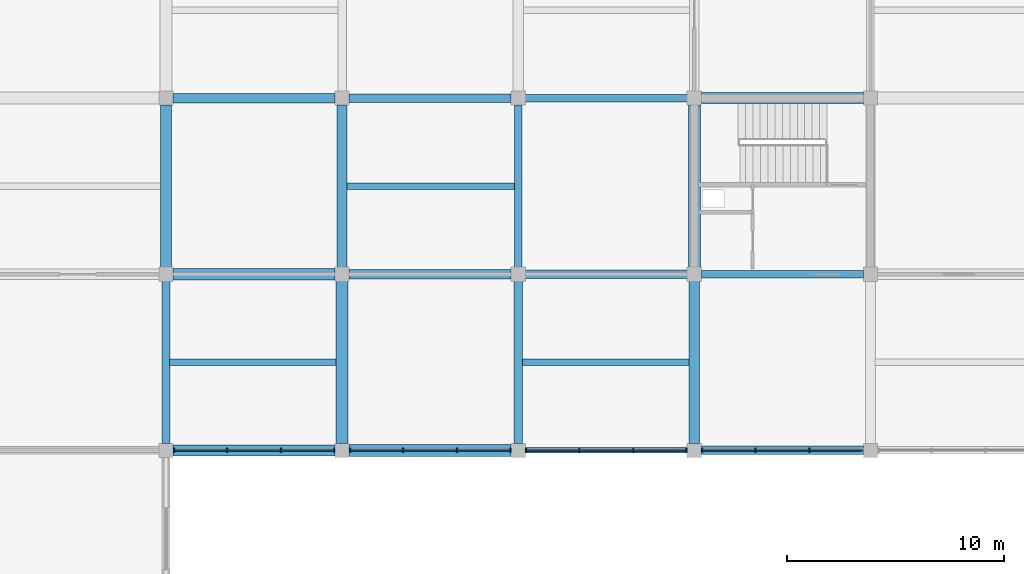
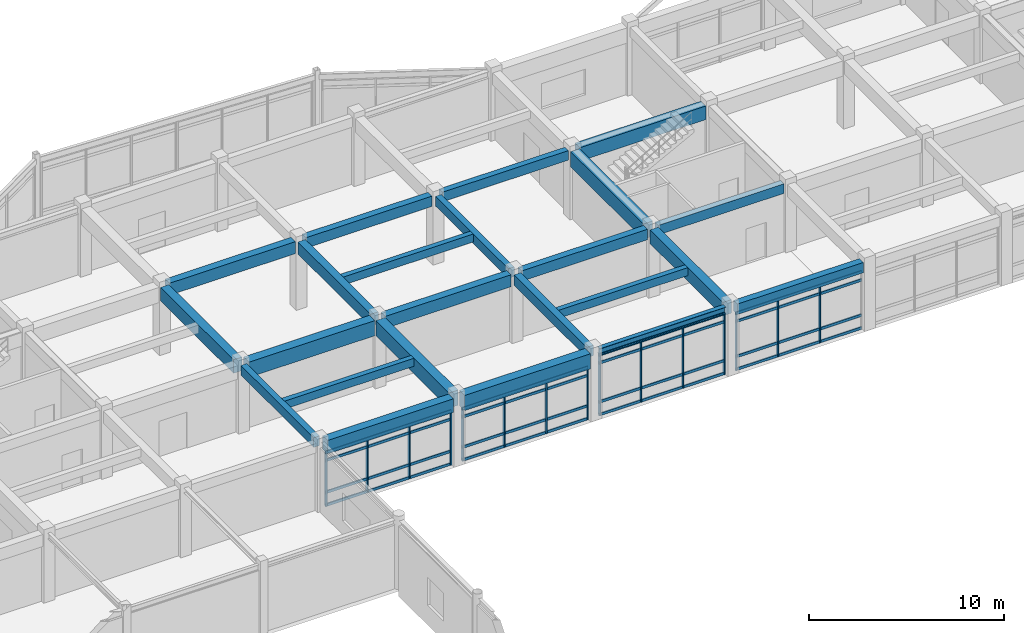
# One storey, part 29 of 93: 31 members, 23 beams, 4 elements without a shape of their own.
"""IFC4 building model written with IfcOpenShell, lengths in metres."""

from ifc_helpers import new_model, si_unit, direction, frame, origin, origin_2d, place, context, subcontext, project, spatial, rectangle, i_section, extrude, material, layer, layer_set, material_profile, profile_set, type_object, element, aggregate, save


model = new_model("IFC4")

# Units and contexts
model_context = context("Model", 3, precision=1e-05, world=origin(), true_north=direction((0.0, 1.0)))
body_context = subcontext(model_context, "Body", "Model", "MODEL_VIEW")
ifc_project = project(units=[si_unit("LENGTHUNIT", "METRE"), si_unit("AREAUNIT", "SQUARE_METRE"), si_unit("VOLUMEUNIT", "CUBIC_METRE"), si_unit("PLANEANGLEUNIT", "RADIAN"), si_unit("MASSUNIT", "GRAM", prefix="KILO")], contexts=[model_context])

# Site, building, storey
site_placement = place(None, origin())
site = spatial("IfcSite", under=ifc_project, at=site_placement, CompositionType="ELEMENT")
building_placement = place(site_placement, origin())
building = spatial("IfcBuilding", under=site, at=building_placement, Name="Vaudrelin Polytechnic", CompositionType="ELEMENT")
storey_placement = place(building_placement, frame((0.0, 0.0, 5.10009765625)))
storey = spatial("IfcBuildingStorey", under=building, at=storey_placement, Name="L01", CompositionType="ELEMENT", Elevation=5.10009765625)

# Beams
ifc_material_1 = material(Name="Concrete 40 MPa", Category="concrete")
ifc_material_profile_1 = material_profile(ifc_material_1, rectangle(XDim=0.35009765625, YDim=0.60009765625, at=origin_2d()), Name="RC350x600")
ifc_profile_set_1 = profile_set([ifc_material_profile_1], Name="Concrete 40 MPa")
beam_type_1 = type_object("IfcBeamType", Name="BM-BM-RC3560", PredefinedType="BEAM", material=ifc_profile_set_1)
for number, where, z_axis, x_axis, name in (
    (1, (32.39990234375, 97.510009765625, 3.949951171875), (0.0, 1.0, 0.0), (-1.0, 0.0, 0.0), "L01 Y-beam 5-13"),
    (2, (48.60009765625, 105.610107421875, 3.949951171875), (0.0, 1.0, 0.0), (-1.0, 0.0, 0.0), "L01 Y-beam 7-14"),
):
    element("IfcBeam", number, at=place(storey_placement, frame(where, z_axis=z_axis, x_axis=x_axis)), inside=storey, type_object=beam_type_1, Name=name, PredefinedType="BEAM", context=body_context, shape_type="SweptSolid", body=[
        extrude(rectangle(XDim=0.35009765625, YDim=0.60009765625, at=origin_2d()), origin(), (0.0, 0.0, 1.0), 7.47998046875),
    ])
for number, where, z_axis, x_axis, name in (
    (3, (48.9208984375, 113.39990234375, 3.949951171875), (1.0, 0.0, 0.0), (0.0, 1.0, 0.0), "L01 X-beam 7-15"),
    (4, (57.02099609375, 105.300048828125, 3.949951171875), (1.0, 0.0, 0.0), (0.0, 1.0, 0.0), "L01 X-beam 8-14"),
):
    element("IfcBeam", number, at=place(storey_placement, frame(where, z_axis=z_axis, x_axis=x_axis)), inside=storey, type_object=beam_type_1, Name=name, PredefinedType="BEAM", context=body_context, shape_type="SweptSolid", body=[
        extrude(rectangle(XDim=0.35009765625, YDim=0.60009765625, at=origin_2d()), origin(), (0.0, 0.0, 1.0), 7.4580078125),
    ])
ifc_material_profile_2 = material_profile(ifc_material_1, rectangle(XDim=0.39990234375, YDim=0.64990234375, at=origin_2d()), Name="RC400x650")
ifc_profile_set_2 = profile_set([ifc_material_profile_2], Name="Concrete 40 MPa")
beam_type_2 = type_object("IfcBeamType", Name="BM-BM-RC4065", PredefinedType="BEAM", material=ifc_profile_set_2)
beam_1_placement = place(storey_placement, frame((48.60009765625, 97.510009765625, 3.9248046875), z_axis=(0.0, 1.0, 0.0), x_axis=(-1.0, 0.0, 0.0)))
element("IfcBeam", 5, at=beam_1_placement, inside=storey, type_object=beam_type_2, Name="L01 Y-beam 7-13", PredefinedType="BEAM", context=body_context, shape_type="SweptSolid", body=[
    extrude(rectangle(XDim=0.39990234375, YDim=0.64990234375, at=origin_2d()), origin(), (0.0, 0.0, 1.0), 7.47998046875),
])
for number, where, z_axis, x_axis, name in (
    (6, (40.821044921875, 113.39990234375, 3.9248046875), (1.0, 0.0, 0.0), (0.0, 1.0, 0.0), "L01 X-beam 6-15"),
    (7, (48.9208984375, 105.300048828125, 3.9248046875), (1.0, 0.0, 0.0), (0.0, 1.0, 0.0), "L01 X-beam 7-14"),
    (8, (57.02099609375, 97.199951171875, 3.9248046875), (1.0, 0.0, 0.0), (0.0, 1.0, 0.0), "L01 X-beam 8-13"),
):
    element("IfcBeam", number, at=place(storey_placement, frame(where, z_axis=z_axis, x_axis=x_axis)), inside=storey, type_object=beam_type_2, Name=name, PredefinedType="BEAM", context=body_context, shape_type="SweptSolid", body=[
        extrude(rectangle(XDim=0.39990234375, YDim=0.64990234375, at=origin_2d()), origin(), (0.0, 0.0, 1.0), 7.4580078125),
    ])
ifc_material_profile_3 = material_profile(ifc_material_1, rectangle(XDim=0.449951171875, YDim=0.75, at=origin_2d()), Name="RC450x750")
ifc_profile_set_3 = profile_set([ifc_material_profile_3], Name="Concrete 40 MPa")
beam_type_3 = type_object("IfcBeamType", Name="BM-BM-RC4575", PredefinedType="BEAM", material=ifc_profile_set_3)
beam_2_placement = place(storey_placement, frame((40.5, 105.610107421875, 3.875), z_axis=(0.0, 1.0, 0.0), x_axis=(-1.0, 0.0, 0.0)))
element("IfcBeam", 9, at=beam_2_placement, inside=storey, type_object=beam_type_3, Name="L01 Y-beam 6-14", PredefinedType="BEAM", context=body_context, shape_type="SweptSolid", body=[
    extrude(rectangle(XDim=0.449951171875, YDim=0.75, at=origin_2d()), origin(), (0.0, 0.0, 1.0), 7.47998046875),
])
for number, where, z_axis, x_axis, name in (
    (10, (32.720947265625, 113.39990234375, 3.875), (1.0, 0.0, 0.0), (0.0, 1.0, 0.0), "L01 X-beam 5-15"),
    (11, (40.821044921875, 105.300048828125, 3.875), (1.0, 0.0, 0.0), (0.0, 1.0, 0.0), "L01 X-beam 6-14"),
):
    element("IfcBeam", number, at=place(storey_placement, frame(where, z_axis=z_axis, x_axis=x_axis)), inside=storey, type_object=beam_type_3, Name=name, PredefinedType="BEAM", context=body_context, shape_type="SweptSolid", body=[
        extrude(rectangle(XDim=0.449951171875, YDim=0.75, at=origin_2d()), origin(), (0.0, 0.0, 1.0), 7.4580078125),
    ])
ifc_material_profile_4 = material_profile(ifc_material_1, rectangle(XDim=0.5, YDim=0.85009765625, at=origin_2d()), Name="RC500x850")
ifc_profile_set_4 = profile_set([ifc_material_profile_4], Name="Concrete 40 MPa")
beam_type_4 = type_object("IfcBeamType", Name="BM-BM-RC5085", PredefinedType="BEAM", material=ifc_profile_set_4)
for number, where, z_axis, x_axis, name in (
    (12, (32.39990234375, 105.610107421875, 3.824951171875), (0.0, 1.0, 0.0), (-1.0, 0.0, 0.0), "L01 Y-beam 5-14"),
    (13, (56.699951171875, 97.510009765625, 3.824951171875), (0.0, 1.0, 0.0), (-1.0, 0.0, 0.0), "L01 Y-beam 8-13"),
):
    element("IfcBeam", number, at=place(storey_placement, frame(where, z_axis=z_axis, x_axis=x_axis)), inside=storey, type_object=beam_type_4, Name=name, PredefinedType="BEAM", context=body_context, shape_type="SweptSolid", body=[
        extrude(rectangle(XDim=0.5, YDim=0.85009765625, at=origin_2d()), origin(), (0.0, 0.0, 1.0), 7.47998046875),
    ])
for number, where, z_axis, x_axis, name in (
    (14, (32.720947265625, 97.199951171875, 3.824951171875), (1.0, 0.0, 0.0), (0.0, 1.0, 0.0), "L01 X-beam 5-13"),
    (15, (57.02099609375, 113.39990234375, 3.824951171875), (1.0, 0.0, 0.0), (0.0, 1.0, 0.0), "L01 X-beam 8-15"),
):
    element("IfcBeam", number, at=place(storey_placement, frame(where, z_axis=z_axis, x_axis=x_axis)), inside=storey, type_object=beam_type_4, Name=name, PredefinedType="BEAM", context=body_context, shape_type="SweptSolid", body=[
        extrude(rectangle(XDim=0.5, YDim=0.85009765625, at=origin_2d()), origin(), (0.0, 0.0, 1.0), 7.4580078125),
    ])
ifc_material_2 = material(Name="Concrete 50 MPa", Category="concrete")
ifc_material_profile_5 = material_profile(ifc_material_2, rectangle(XDim=0.550048828125, YDim=0.949951171875, at=origin_2d()), Name="RC550x950")
ifc_profile_set_5 = profile_set([ifc_material_profile_5], Name="Concrete 50 MPa")
beam_type_5 = type_object("IfcBeamType", Name="BM-BM-RC5595", PredefinedType="BEAM", material=ifc_profile_set_5)
for number, where, z_axis, x_axis, name in (
    (16, (40.5, 97.510009765625, 3.77490234375), (0.0, 1.0, 0.0), (-1.0, 0.0, 0.0), "L01 Y-beam 6-13"),
    (17, (56.699951171875, 105.610107421875, 3.77490234375), (0.0, 1.0, 0.0), (-1.0, 0.0, 0.0), "L01 Y-beam 8-14"),
):
    element("IfcBeam", number, at=place(storey_placement, frame(where, z_axis=z_axis, x_axis=x_axis)), inside=storey, type_object=beam_type_5, Name=name, PredefinedType="BEAM", context=body_context, shape_type="SweptSolid", body=[
        extrude(rectangle(XDim=0.550048828125, YDim=0.949951171875, at=origin_2d()), origin(), (0.0, 0.0, 1.0), 7.47998046875),
    ])
for number, where, z_axis, x_axis, name in (
    (18, (32.720947265625, 105.300048828125, 3.77490234375), (1.0, 0.0, 0.0), (0.0, 1.0, 0.0), "L01 X-beam 5-14"),
    (19, (40.821044921875, 97.199951171875, 3.77490234375), (1.0, 0.0, 0.0), (0.0, 1.0, 0.0), "L01 X-beam 6-13"),
):
    element("IfcBeam", number, at=place(storey_placement, frame(where, z_axis=z_axis, x_axis=x_axis)), inside=storey, type_object=beam_type_5, Name=name, PredefinedType="BEAM", context=body_context, shape_type="SweptSolid", body=[
        extrude(rectangle(XDim=0.550048828125, YDim=0.949951171875, at=origin_2d()), origin(), (0.0, 0.0, 1.0), 7.4580078125),
    ])
ifc_material_3 = material(Name="Steel CSA G40.21 350WT", Category="steel")
ifc_material_profile_6 = material_profile(ifc_material_3, i_section(OverallWidth=0.260009765625, OverallDepth=0.4150390625, WebThickness=0.010009765625, FlangeThickness=0.016845703125, FilletRadius=0.01611328125, at=origin_2d()), Name="W410x100")
ifc_profile_set_6 = profile_set([ifc_material_profile_6], Name="Steel CSA G40.21 350WT")
beam_type_6 = type_object("IfcBeamType", Name="BM-BM-W410H", PredefinedType="SPANDREL", material=ifc_profile_set_6)
beam_3_placement = place(storey_placement, frame((48.9208984375, 97.199951171875, 4.04248046875), z_axis=(1.0, 0.0, 0.0), x_axis=(0.0, 1.0, 0.0)))
element("IfcBeam", 20, at=beam_3_placement, inside=storey, type_object=beam_type_6, Name="L01 X-beam 7-13", PredefinedType="SPANDREL", context=body_context, shape_type="SweptSolid", body=[
    extrude(i_section(OverallWidth=0.260009765625, OverallDepth=0.4150390625, WebThickness=0.010009765625, FlangeThickness=0.016845703125, FilletRadius=0.01611328125, at=origin_2d()), origin(), (0.0, 0.0, 1.0), 7.4580078125),
])
ifc_material_profile_7 = material_profile(ifc_material_1, rectangle(XDim=0.300048828125, YDim=0.5, at=origin_2d()), Name="RC300x500")
ifc_profile_set_7 = profile_set([ifc_material_profile_7], Name="Concrete 40 MPa")
beam_type_7 = type_object("IfcBeamType", Name="BM-JS-RC3050", PredefinedType="JOIST", material=ifc_profile_set_7)
beam_4_placement = place(storey_placement, frame((32.571044921875, 101.25, 4.0), z_axis=(1.0, 0.0, 0.0), x_axis=(0.0, 1.0, 0.0)))
element("IfcBeam", 21, at=beam_4_placement, inside=storey, type_object=beam_type_7, Name="L01 floor joist 5-13", PredefinedType="JOIST", context=body_context, shape_type="SweptSolid", body=[
    extrude(rectangle(XDim=0.300048828125, YDim=0.5, at=origin_2d()), origin(), (0.0, 0.0, 1.0), 7.657958984375),
])
beam_5_placement = place(storey_placement, frame((40.720947265625, 109.35009765625, 4.0), z_axis=(1.0, 0.0, 0.0), x_axis=(0.0, 1.0, 0.0)))
element("IfcBeam", 22, at=beam_5_placement, inside=storey, type_object=beam_type_7, Name="L01 floor joist 6-14", PredefinedType="JOIST", context=body_context, shape_type="SweptSolid", body=[
    extrude(rectangle(XDim=0.300048828125, YDim=0.5, at=origin_2d()), origin(), (0.0, 0.0, 1.0), 7.7080078125),
])
beam_6_placement = place(storey_placement, frame((48.7958984375, 101.25, 4.0), z_axis=(1.0, 0.0, 0.0), x_axis=(0.0, 1.0, 0.0)))
element("IfcBeam", 23, at=beam_6_placement, inside=storey, type_object=beam_type_7, Name="L01 floor joist 7-13", PredefinedType="JOIST", context=body_context, shape_type="SweptSolid", body=[
    extrude(rectangle(XDim=0.300048828125, YDim=0.5, at=origin_2d()), origin(), (0.0, 0.0, 1.0), 7.658203125),
])

# Curtain wall, members
ifc_material_4 = material(Name="Thermally broken anodised aluminium AA 6063-T6 and low-e triple glazing", Category="aluminium")
ifc_layer = layer(ifc_material_4, 0.199951171875)
ifc_layer_set = layer_set([ifc_layer], Name="Thermally broken anodised aluminium AA 6063-T6 and low-e triple glazing")
curtain_wall_type = type_object("IfcCurtainWallType", Name="CW-CW-LIB", PredefinedType="USERDEFINED", material=ifc_layer_set)
curtain_wall_1_placement = place(storey_placement, origin())
curtain_wall_1 = element("IfcCurtainWall", 24, at=curtain_wall_1_placement, inside=storey, type_object=curtain_wall_type, Name="Curtain wall L01 CT_N_00", ObjectType="CURTAIN WALL", PredefinedType="USERDEFINED")
ifc_material_5 = material(Name="Anodised aluminium AA 6063-T6", Category="aluminium")
ifc_material_profile_8 = material_profile(ifc_material_5, rectangle(XDim=0.06494140625, YDim=0.179931640625, at=origin_2d()), Name="CWM-65x180")
ifc_profile_set_8 = profile_set([ifc_material_profile_8], Name="Anodised aluminium AA 6063-T6")
member_type_1 = type_object("IfcMemberType", Name="MEM-CWM-180", PredefinedType="MULLION", material=ifc_profile_set_8)
member_1_placement = place(storey_placement, frame((32.762939453125, 97.199951171875, 0.0), z_axis=(0.0, 0.0, 1.0), x_axis=(1.0, 0.0, 0.0)))
member_1 = element("IfcMember", 25, at=member_1_placement, type_object=member_type_1, Name="CT_N_00 mullion 1", PredefinedType="MULLION", context=body_context, shape_type="SweptSolid", body=[
    extrude(rectangle(XDim=0.06494140625, YDim=0.179931640625, at=origin_2d()), origin(), (0.0, 0.0, 1.0), 3.40185546875),
])
member_2_placement = place(storey_placement, frame((35.207763671875, 97.199951171875, 0.0), z_axis=(0.0, 0.0, 1.0), x_axis=(1.0, 0.0, 0.0)))
member_2 = element("IfcMember", 26, at=member_2_placement, type_object=member_type_1, Name="CT_N_00 mullion 2", PredefinedType="MULLION", context=body_context, shape_type="SweptSolid", body=[
    extrude(rectangle(XDim=0.06494140625, YDim=0.179931640625, at=origin_2d()), origin(), (0.0, 0.0, 1.0), 3.40185546875),
])
member_3_placement = place(storey_placement, frame((37.6923828125, 97.199951171875, 0.0), z_axis=(0.0, 0.0, 1.0), x_axis=(1.0, 0.0, 0.0)))
member_3 = element("IfcMember", 27, at=member_3_placement, type_object=member_type_1, Name="CT_N_00 mullion 3", PredefinedType="MULLION", context=body_context, shape_type="SweptSolid", body=[
    extrude(rectangle(XDim=0.06494140625, YDim=0.179931640625, at=origin_2d()), origin(), (0.0, 0.0, 1.0), 3.40185546875),
])
member_4_placement = place(storey_placement, frame((40.136962890625, 97.199951171875, 0.0), z_axis=(0.0, 0.0, 1.0), x_axis=(1.0, 0.0, 0.0)))
member_4 = element("IfcMember", 28, at=member_4_placement, type_object=member_type_1, Name="CT_N_00 mullion 4", PredefinedType="MULLION", context=body_context, shape_type="SweptSolid", body=[
    extrude(rectangle(XDim=0.06494140625, YDim=0.179931640625, at=origin_2d()), origin(), (0.0, 0.0, 1.0), 3.40185546875),
])

curtain_wall_2_placement = place(storey_placement, origin())
curtain_wall_2 = element("IfcCurtainWall", 29, at=curtain_wall_2_placement, inside=storey, type_object=curtain_wall_type, Name="Curtain wall L01 CT_N_01", ObjectType="CURTAIN WALL", PredefinedType="USERDEFINED")
member_5_placement = place(storey_placement, frame((40.863037109375, 97.199951171875, 0.0), z_axis=(0.0, 0.0, 1.0), x_axis=(1.0, 0.0, 0.0)))
member_5 = element("IfcMember", 30, at=member_5_placement, type_object=member_type_1, Name="CT_N_01 mullion 1", PredefinedType="MULLION", context=body_context, shape_type="SweptSolid", body=[
    extrude(rectangle(XDim=0.06494140625, YDim=0.179931640625, at=origin_2d()), origin(), (0.0, 0.0, 1.0), 3.302001953125),
])
member_6_placement = place(storey_placement, frame((43.3076171875, 97.199951171875, 0.0), z_axis=(0.0, 0.0, 1.0), x_axis=(1.0, 0.0, 0.0)))
member_6 = element("IfcMember", 31, at=member_6_placement, type_object=member_type_1, Name="CT_N_01 mullion 2", PredefinedType="MULLION", context=body_context, shape_type="SweptSolid", body=[
    extrude(rectangle(XDim=0.06494140625, YDim=0.179931640625, at=origin_2d()), origin(), (0.0, 0.0, 1.0), 3.302001953125),
])
member_7_placement = place(storey_placement, frame((45.792236328125, 97.199951171875, 0.0), z_axis=(0.0, 0.0, 1.0), x_axis=(1.0, 0.0, 0.0)))
member_7 = element("IfcMember", 32, at=member_7_placement, type_object=member_type_1, Name="CT_N_01 mullion 3", PredefinedType="MULLION", context=body_context, shape_type="SweptSolid", body=[
    extrude(rectangle(XDim=0.06494140625, YDim=0.179931640625, at=origin_2d()), origin(), (0.0, 0.0, 1.0), 3.302001953125),
])
member_8_placement = place(storey_placement, frame((48.237060546875, 97.199951171875, 0.0), z_axis=(0.0, 0.0, 1.0), x_axis=(1.0, 0.0, 0.0)))
member_8 = element("IfcMember", 33, at=member_8_placement, type_object=member_type_1, Name="CT_N_01 mullion 4", PredefinedType="MULLION", context=body_context, shape_type="SweptSolid", body=[
    extrude(rectangle(XDim=0.06494140625, YDim=0.179931640625, at=origin_2d()), origin(), (0.0, 0.0, 1.0), 3.302001953125),
])

curtain_wall_3_placement = place(storey_placement, origin())
curtain_wall_3 = element("IfcCurtainWall", 34, at=curtain_wall_3_placement, inside=storey, type_object=curtain_wall_type, Name="Curtain wall L01 CT_N_02", ObjectType="CURTAIN WALL", PredefinedType="USERDEFINED")
member_9_placement = place(storey_placement, frame((48.962890625, 97.199951171875, 0.0), z_axis=(0.0, 0.0, 1.0), x_axis=(1.0, 0.0, 0.0)))
member_9 = element("IfcMember", 35, at=member_9_placement, type_object=member_type_1, Name="CT_N_02 mullion 1", PredefinedType="MULLION", context=body_context, shape_type="SweptSolid", body=[
    extrude(rectangle(XDim=0.06494140625, YDim=0.179931640625, at=origin_2d()), origin(), (0.0, 0.0, 1.0), 3.8369140625),
])
member_10_placement = place(storey_placement, frame((51.40771484375, 97.199951171875, 0.0), z_axis=(0.0, 0.0, 1.0), x_axis=(1.0, 0.0, 0.0)))
member_10 = element("IfcMember", 36, at=member_10_placement, type_object=member_type_1, Name="CT_N_02 mullion 2", PredefinedType="MULLION", context=body_context, shape_type="SweptSolid", body=[
    extrude(rectangle(XDim=0.06494140625, YDim=0.179931640625, at=origin_2d()), origin(), (0.0, 0.0, 1.0), 3.8369140625),
])
member_11_placement = place(storey_placement, frame((53.892333984375, 97.199951171875, 0.0), z_axis=(0.0, 0.0, 1.0), x_axis=(1.0, 0.0, 0.0)))
member_11 = element("IfcMember", 37, at=member_11_placement, type_object=member_type_1, Name="CT_N_02 mullion 3", PredefinedType="MULLION", context=body_context, shape_type="SweptSolid", body=[
    extrude(rectangle(XDim=0.06494140625, YDim=0.179931640625, at=origin_2d()), origin(), (0.0, 0.0, 1.0), 3.8369140625),
])
member_12_placement = place(storey_placement, frame((56.3369140625, 97.199951171875, 0.0), z_axis=(0.0, 0.0, 1.0), x_axis=(1.0, 0.0, 0.0)))
member_12 = element("IfcMember", 38, at=member_12_placement, type_object=member_type_1, Name="CT_N_02 mullion 4", PredefinedType="MULLION", context=body_context, shape_type="SweptSolid", body=[
    extrude(rectangle(XDim=0.06494140625, YDim=0.179931640625, at=origin_2d()), origin(), (0.0, 0.0, 1.0), 3.8369140625),
])

curtain_wall_4_placement = place(storey_placement, origin())
curtain_wall_4 = element("IfcCurtainWall", 39, at=curtain_wall_4_placement, inside=storey, type_object=curtain_wall_type, Name="Curtain wall L01 CT_N_03", ObjectType="CURTAIN WALL", PredefinedType="USERDEFINED")
member_13_placement = place(storey_placement, frame((57.06298828125, 97.199951171875, 0.0), z_axis=(0.0, 0.0, 1.0), x_axis=(1.0, 0.0, 0.0)))
member_13 = element("IfcMember", 40, at=member_13_placement, type_object=member_type_1, Name="CT_N_03 mullion 1", PredefinedType="MULLION", context=body_context, shape_type="SweptSolid", body=[
    extrude(rectangle(XDim=0.06494140625, YDim=0.179931640625, at=origin_2d()), origin(), (0.0, 0.0, 1.0), 3.601806640625),
])
member_14_placement = place(storey_placement, frame((59.5078125, 97.199951171875, 0.0), z_axis=(0.0, 0.0, 1.0), x_axis=(1.0, 0.0, 0.0)))
member_14 = element("IfcMember", 41, at=member_14_placement, type_object=member_type_1, Name="CT_N_03 mullion 2", PredefinedType="MULLION", context=body_context, shape_type="SweptSolid", body=[
    extrude(rectangle(XDim=0.06494140625, YDim=0.179931640625, at=origin_2d()), origin(), (0.0, 0.0, 1.0), 3.601806640625),
])
member_15_placement = place(storey_placement, frame((61.9921875, 97.199951171875, 0.0), z_axis=(0.0, 0.0, 1.0), x_axis=(1.0, 0.0, 0.0)))
member_15 = element("IfcMember", 42, at=member_15_placement, type_object=member_type_1, Name="CT_N_03 mullion 3", PredefinedType="MULLION", context=body_context, shape_type="SweptSolid", body=[
    extrude(rectangle(XDim=0.06494140625, YDim=0.179931640625, at=origin_2d()), origin(), (0.0, 0.0, 1.0), 3.601806640625),
])

# Member
ifc_material_profile_9 = material_profile(ifc_material_5, rectangle(XDim=0.074951171875, YDim=0.1650390625, at=origin_2d()), Name="CWT-75x165")
ifc_profile_set_9 = profile_set([ifc_material_profile_9], Name="Anodised aluminium AA 6063-T6")
member_type_2 = type_object("IfcMemberType", Name="MEM-CWT-165", PredefinedType="USERDEFINED", material=ifc_profile_set_9)
member_16_placement = place(storey_placement, frame((32.722900390625, 97.199951171875, 0.0498046875), z_axis=(1.0, 0.0, 0.0), x_axis=(0.0, 1.0, 0.0)))
member_16 = element("IfcMember", 43, at=member_16_placement, type_object=member_type_2, Name="CT_N_00 transom 1", ObjectType="TRANSOM", PredefinedType="USERDEFINED", context=body_context, shape_type="SweptSolid", body=[
    extrude(rectangle(XDim=0.074951171875, YDim=0.1650390625, at=origin_2d()), origin(), (0.0, 0.0, 1.0), 7.4541015625),
])

member_17_placement = place(storey_placement, frame((32.722900390625, 97.199951171875, 0.849853515625), z_axis=(1.0, 0.0, 0.0), x_axis=(0.0, 1.0, 0.0)))
member_17 = element("IfcMember", 44, at=member_17_placement, type_object=member_type_2, Name="CT_N_00 transom 2", ObjectType="TRANSOM", PredefinedType="USERDEFINED", context=body_context, shape_type="SweptSolid", body=[
    extrude(rectangle(XDim=0.074951171875, YDim=0.1650390625, at=origin_2d()), origin(), (0.0, 0.0, 1.0), 7.4541015625),
])

member_18_placement = place(storey_placement, frame((32.722900390625, 97.199951171875, 2.851806640625), z_axis=(1.0, 0.0, 0.0), x_axis=(0.0, 1.0, 0.0)))
member_18 = element("IfcMember", 45, at=member_18_placement, type_object=member_type_2, Name="CT_N_00 transom 3", ObjectType="TRANSOM", PredefinedType="USERDEFINED", context=body_context, shape_type="SweptSolid", body=[
    extrude(rectangle(XDim=0.074951171875, YDim=0.1650390625, at=origin_2d()), origin(), (0.0, 0.0, 1.0), 7.4541015625),
])

member_19_placement = place(storey_placement, frame((32.722900390625, 97.199951171875, 3.351806640625), z_axis=(1.0, 0.0, 0.0), x_axis=(0.0, 1.0, 0.0)))
member_19 = element("IfcMember", 46, at=member_19_placement, type_object=member_type_2, Name="CT_N_00 transom 4", ObjectType="TRANSOM", PredefinedType="USERDEFINED", context=body_context, shape_type="SweptSolid", body=[
    extrude(rectangle(XDim=0.074951171875, YDim=0.1650390625, at=origin_2d()), origin(), (0.0, 0.0, 1.0), 7.4541015625),
])

aggregate(curtain_wall_1, [member_1, member_2, member_3, member_4, member_16, member_17, member_18, member_19])

member_20_placement = place(storey_placement, frame((40.822998046875, 97.199951171875, 0.0498046875), z_axis=(1.0, 0.0, 0.0), x_axis=(0.0, 1.0, 0.0)))
member_20 = element("IfcMember", 47, at=member_20_placement, type_object=member_type_2, Name="CT_N_01 transom 1", ObjectType="TRANSOM", PredefinedType="USERDEFINED", context=body_context, shape_type="SweptSolid", body=[
    extrude(rectangle(XDim=0.074951171875, YDim=0.1650390625, at=origin_2d()), origin(), (0.0, 0.0, 1.0), 7.4541015625),
])

member_21_placement = place(storey_placement, frame((40.822998046875, 97.199951171875, 0.849853515625), z_axis=(1.0, 0.0, 0.0), x_axis=(0.0, 1.0, 0.0)))
member_21 = element("IfcMember", 48, at=member_21_placement, type_object=member_type_2, Name="CT_N_01 transom 2", ObjectType="TRANSOM", PredefinedType="USERDEFINED", context=body_context, shape_type="SweptSolid", body=[
    extrude(rectangle(XDim=0.074951171875, YDim=0.1650390625, at=origin_2d()), origin(), (0.0, 0.0, 1.0), 7.4541015625),
])

member_22_placement = place(storey_placement, frame((40.822998046875, 97.199951171875, 2.751953125), z_axis=(1.0, 0.0, 0.0), x_axis=(0.0, 1.0, 0.0)))
member_22 = element("IfcMember", 49, at=member_22_placement, type_object=member_type_2, Name="CT_N_01 transom 3", ObjectType="TRANSOM", PredefinedType="USERDEFINED", context=body_context, shape_type="SweptSolid", body=[
    extrude(rectangle(XDim=0.074951171875, YDim=0.1650390625, at=origin_2d()), origin(), (0.0, 0.0, 1.0), 7.4541015625),
])

member_23_placement = place(storey_placement, frame((40.822998046875, 97.199951171875, 3.251953125), z_axis=(1.0, 0.0, 0.0), x_axis=(0.0, 1.0, 0.0)))
member_23 = element("IfcMember", 50, at=member_23_placement, type_object=member_type_2, Name="CT_N_01 transom 4", ObjectType="TRANSOM", PredefinedType="USERDEFINED", context=body_context, shape_type="SweptSolid", body=[
    extrude(rectangle(XDim=0.074951171875, YDim=0.1650390625, at=origin_2d()), origin(), (0.0, 0.0, 1.0), 7.4541015625),
])

aggregate(curtain_wall_2, [member_5, member_6, member_7, member_8, member_20, member_21, member_22, member_23])

member_24_placement = place(storey_placement, frame((48.923095703125, 97.199951171875, 0.0498046875), z_axis=(1.0, 0.0, 0.0), x_axis=(0.0, 1.0, 0.0)))
member_24 = element("IfcMember", 51, at=member_24_placement, type_object=member_type_2, Name="CT_N_02 transom 1", ObjectType="TRANSOM", PredefinedType="USERDEFINED", context=body_context, shape_type="SweptSolid", body=[
    extrude(rectangle(XDim=0.074951171875, YDim=0.1650390625, at=origin_2d()), origin(), (0.0, 0.0, 1.0), 7.453857421875),
])

member_25_placement = place(storey_placement, frame((48.923095703125, 97.199951171875, 0.849853515625), z_axis=(1.0, 0.0, 0.0), x_axis=(0.0, 1.0, 0.0)))
member_25 = element("IfcMember", 52, at=member_25_placement, type_object=member_type_2, Name="CT_N_02 transom 2", ObjectType="TRANSOM", PredefinedType="USERDEFINED", context=body_context, shape_type="SweptSolid", body=[
    extrude(rectangle(XDim=0.074951171875, YDim=0.1650390625, at=origin_2d()), origin(), (0.0, 0.0, 1.0), 7.453857421875),
])

member_26_placement = place(storey_placement, frame((48.923095703125, 97.199951171875, 3.286865234375), z_axis=(1.0, 0.0, 0.0), x_axis=(0.0, 1.0, 0.0)))
member_26 = element("IfcMember", 53, at=member_26_placement, type_object=member_type_2, Name="CT_N_02 transom 3", ObjectType="TRANSOM", PredefinedType="USERDEFINED", context=body_context, shape_type="SweptSolid", body=[
    extrude(rectangle(XDim=0.074951171875, YDim=0.1650390625, at=origin_2d()), origin(), (0.0, 0.0, 1.0), 7.453857421875),
])

member_27_placement = place(storey_placement, frame((48.923095703125, 97.199951171875, 3.786865234375), z_axis=(1.0, 0.0, 0.0), x_axis=(0.0, 1.0, 0.0)))
member_27 = element("IfcMember", 54, at=member_27_placement, type_object=member_type_2, Name="CT_N_02 transom 4", ObjectType="TRANSOM", PredefinedType="USERDEFINED", context=body_context, shape_type="SweptSolid", body=[
    extrude(rectangle(XDim=0.074951171875, YDim=0.1650390625, at=origin_2d()), origin(), (0.0, 0.0, 1.0), 7.453857421875),
])

aggregate(curtain_wall_3, [member_9, member_10, member_11, member_12, member_24, member_25, member_26, member_27])

member_28_placement = place(storey_placement, frame((57.02294921875, 97.199951171875, 0.0498046875), z_axis=(1.0, 0.0, 0.0), x_axis=(0.0, 1.0, 0.0)))
member_28 = element("IfcMember", 55, at=member_28_placement, type_object=member_type_2, Name="CT_N_03 transom 1", ObjectType="TRANSOM", PredefinedType="USERDEFINED", context=body_context, shape_type="SweptSolid", body=[
    extrude(rectangle(XDim=0.074951171875, YDim=0.1650390625, at=origin_2d()), origin(), (0.0, 0.0, 1.0), 7.4541015625),
])

member_29_placement = place(storey_placement, frame((57.02294921875, 97.199951171875, 0.849853515625), z_axis=(1.0, 0.0, 0.0), x_axis=(0.0, 1.0, 0.0)))
member_29 = element("IfcMember", 56, at=member_29_placement, type_object=member_type_2, Name="CT_N_03 transom 2", ObjectType="TRANSOM", PredefinedType="USERDEFINED", context=body_context, shape_type="SweptSolid", body=[
    extrude(rectangle(XDim=0.074951171875, YDim=0.1650390625, at=origin_2d()), origin(), (0.0, 0.0, 1.0), 7.4541015625),
])

member_30_placement = place(storey_placement, frame((57.02294921875, 97.199951171875, 3.052001953125), z_axis=(1.0, 0.0, 0.0), x_axis=(0.0, 1.0, 0.0)))
member_30 = element("IfcMember", 57, at=member_30_placement, type_object=member_type_2, Name="CT_N_03 transom 3", ObjectType="TRANSOM", PredefinedType="USERDEFINED", context=body_context, shape_type="SweptSolid", body=[
    extrude(rectangle(XDim=0.074951171875, YDim=0.1650390625, at=origin_2d()), origin(), (0.0, 0.0, 1.0), 7.4541015625),
])

member_31_placement = place(storey_placement, frame((57.02294921875, 97.199951171875, 3.552001953125), z_axis=(1.0, 0.0, 0.0), x_axis=(0.0, 1.0, 0.0)))
member_31 = element("IfcMember", 58, at=member_31_placement, type_object=member_type_2, Name="CT_N_03 transom 4", ObjectType="TRANSOM", PredefinedType="USERDEFINED", context=body_context, shape_type="SweptSolid", body=[
    extrude(rectangle(XDim=0.074951171875, YDim=0.1650390625, at=origin_2d()), origin(), (0.0, 0.0, 1.0), 7.4541015625),
])

aggregate(curtain_wall_4, [member_13, member_14, member_15, member_28, member_29, member_30, member_31])

save(model, "model.ifc")
